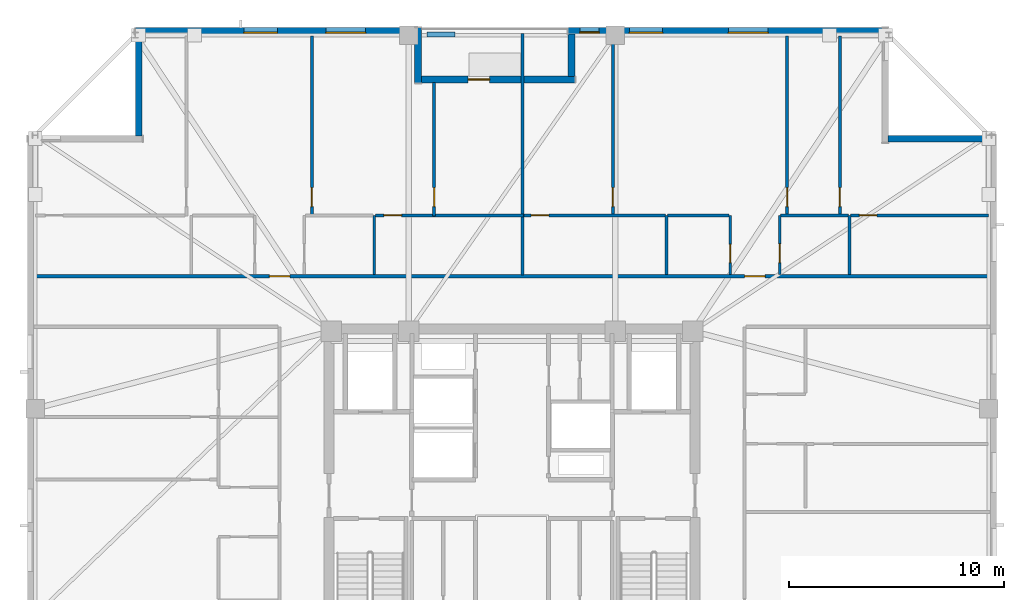
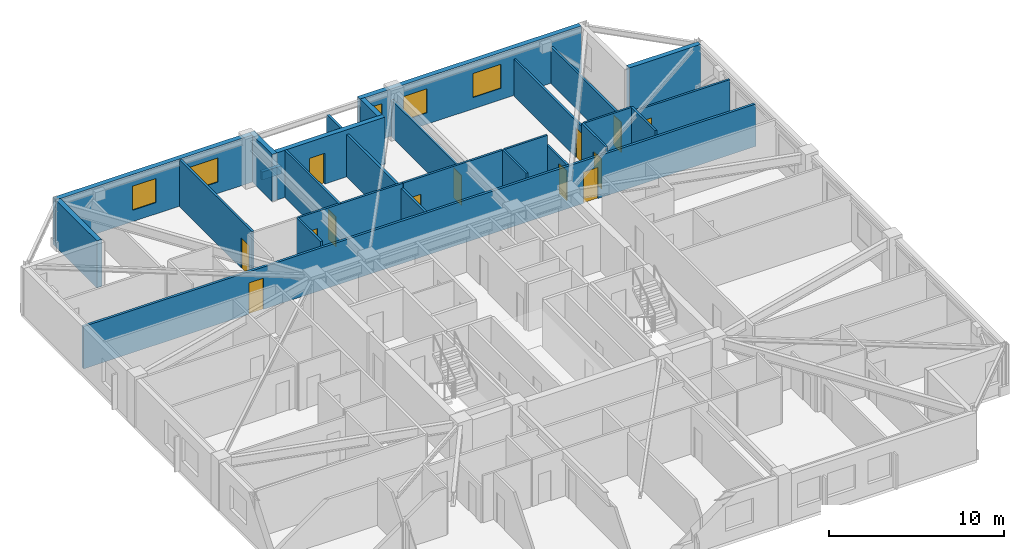
# One storey, part 11 of 17: 25 walls, 13 doors, 5 windows, 18 openings.
"""IFC4 building model written with IfcOpenShell, lengths in metres."""

from ifc_helpers import new_model, si_unit, direction, frame, frame_2d, origin, place, context, subcontext, project, spatial, rectangle, extrude, material, layer, layer_set, type_object, element, fill, save


model = new_model("IFC4")

# Units and contexts
model_context = context("Model", 3, precision=1e-05, world=origin(), true_north=direction((0.0, 1.0)))
body_context = subcontext(model_context, "Body", "Model", "MODEL_VIEW")
ifc_project = project(units=[si_unit("LENGTHUNIT", "METRE"), si_unit("AREAUNIT", "SQUARE_METRE"), si_unit("VOLUMEUNIT", "CUBIC_METRE"), si_unit("PLANEANGLEUNIT", "RADIAN"), si_unit("MASSUNIT", "GRAM", prefix="KILO")], contexts=[model_context])

# Site, building, storey
site_placement = place(None, origin())
site = spatial("IfcSite", under=ifc_project, at=site_placement, CompositionType="ELEMENT")
building_placement = place(site_placement, origin())
building = spatial("IfcBuilding", under=site, at=building_placement, Name="Cairnveth Concourse Tower", CompositionType="ELEMENT")
storey_placement = place(building_placement, frame((0.0, 0.0, 206.0)))
storey = spatial("IfcBuildingStorey", under=building, at=storey_placement, Name="L56", CompositionType="ELEMENT", Elevation=206.0)

# Wall, openings, doors
ifc_material_1 = material(Name="Gypsum Plasterboard Partition", Category="gypsum")
ifc_layer_1 = layer(ifc_material_1, 0.159912109375)
ifc_layer_set_1 = layer_set([ifc_layer_1], Name="Gypsum Plasterboard Partition")
wall_type_1 = type_object("IfcWallType", Name="ACOUSTIC PARTY WALL 180", PredefinedType="PARTITIONING", material=ifc_layer_set_1)
wall_1_placement = place(storey_placement, frame((29.804931640625, 49.949951171875, 0.0), z_axis=(0.0, 0.0, 1.0), x_axis=(1.0, 0.0, 0.0)))
wall_1 = element("IfcWall", 1, at=wall_1_placement, inside=storey, type_object=wall_type_1, Name="Interior Wall IW-L56-037", PredefinedType="PARTITIONING", context=body_context, shape_type="SweptSolid", body=[
    extrude(rectangle(XDim=44.39013671875, YDim=0.159912109375, at=frame_2d((22.195068359375, 0.0))), origin(), (0.0, 0.0, 1.0), 2.9580078125),
])
opening_1_placement = place(wall_1_placement, frame((10.918701171875, 0.0, 0.0)))
opening_1 = element("IfcOpeningElement", 2, at=opening_1_placement, cuts=wall_1, Name="Opening ID10", PredefinedType="OPENING", context=body_context, shape_type="SweptSolid", body=[
    extrude(rectangle(XDim=0.9599609375, YDim=2.179931640625, at=frame_2d((0.47998046875, 1.08984375))), frame((0.0, 0.08984375, 0.0), z_axis=(0.0, -1.0, 0.0), x_axis=(1.0, 0.0, 0.0)), (0.0, 0.0, 1.0), 0.179931640625),
])
opening_2_placement = place(wall_1_placement, frame((32.998779296875, 0.0, 0.0)))
opening_2 = element("IfcOpeningElement", 3, at=opening_2_placement, cuts=wall_1, Name="Opening ID10", PredefinedType="OPENING", context=body_context, shape_type="SweptSolid", body=[
    extrude(rectangle(XDim=0.9599609375, YDim=2.179931640625, at=frame_2d((0.47998046875, 1.08984375))), frame((0.0, 0.08984375, 0.0), z_axis=(0.0, -1.0, 0.0), x_axis=(1.0, 0.0, 0.0)), (0.0, 0.0, 1.0), 0.179931640625),
])
ifc_material_2 = material(Name="Solid Core Hardwood Timber Leaf", Category="wood")
door_type_1 = type_object("IfcDoorType", Name="FLAT ENTRANCE DOOR 960X2150", OperationType="NOTDEFINED", PredefinedType="DOOR", material=ifc_material_2)
door_1_placement = place(opening_1_placement, origin())
door_1 = element("IfcDoor", 4, at=door_1_placement, inside=storey, type_object=door_type_1, Name="Apartment L56N1 Entrance Door", OperationType="SINGLE_SWING_RIGHT", OverallHeight=2.179931640625, OverallWidth=0.9599609375, PredefinedType="DOOR", context=body_context, shape_type="SweptSolid", body=[
    extrude(rectangle(XDim=0.9599609375, YDim=2.179931640625, at=frame_2d((0.47998046875, 1.08984375))), frame((0.0, 0.02490234375, 0.0), z_axis=(0.0, -1.0, 0.0), x_axis=(1.0, 0.0, 0.0)), (0.0, 0.0, 1.0), 0.050048828125),
])
fill(opening_1, door_1)
door_2_placement = place(opening_2_placement, origin())
door_2 = element("IfcDoor", 5, at=door_2_placement, inside=storey, type_object=door_type_1, Name="Apartment L56N2 Entrance Door", OperationType="SINGLE_SWING_RIGHT", OverallHeight=2.179931640625, OverallWidth=0.9599609375, PredefinedType="DOOR", context=body_context, shape_type="SweptSolid", body=[
    extrude(rectangle(XDim=0.9599609375, YDim=2.179931640625, at=frame_2d((0.47998046875, 1.08984375))), frame((0.0, 0.02490234375, 0.0), z_axis=(0.0, -1.0, 0.0), x_axis=(1.0, 0.0, 0.0)), (0.0, 0.0, 1.0), 0.050048828125),
])
fill(opening_2, door_2)

# Wall
wall_2_placement = place(storey_placement, frame((52.487548828125, 50.014892578125, 0.0), z_axis=(0.0, 0.0, 1.0), x_axis=(0.0, 1.0, 0.0)))
element("IfcWall", 6, at=wall_2_placement, inside=storey, type_object=wall_type_1, Name="Interior Wall IW-L56-078", PredefinedType="PARTITIONING", context=body_context, shape_type="SweptSolid", body=[
    extrude(rectangle(XDim=11.215087890625, YDim=0.159912109375, at=frame_2d((5.607421875, 0.0))), origin(), (0.0, 0.0, 1.0), 2.9580078125),
])

# Wall, opening, door
ifc_layer_2 = layer(ifc_material_1, 0.139892578125)
ifc_layer_set_2 = layer_set([ifc_layer_2], Name="Gypsum Plasterboard Partition")
wall_type_2 = type_object("IfcWallType", Name="GYPSUM STUD PARTITION 140", PredefinedType="PARTITIONING", material=ifc_layer_set_2)
wall_3_placement = place(storey_placement, frame((48.387451171875, 52.739990234375, 0.0), z_axis=(0.0, 0.0, 1.0), x_axis=(0.0, 1.0, 0.0)))
wall_3 = element("IfcWall", 7, at=wall_3_placement, inside=storey, type_object=wall_type_2, Name="Interior Wall IW-L56-075", PredefinedType="PARTITIONING", context=body_context, shape_type="SweptSolid", body=[
    extrude(rectangle(XDim=6.205078125, YDim=0.139892578125, at=frame_2d((3.1025390625, 0.0))), origin(), (0.0, 0.0, 1.0), 3.2900390625),
])
opening_3_placement = place(wall_3_placement, frame((0.449951171875, 0.0, 0.0)))
opening_3 = element("IfcOpeningElement", 8, at=opening_3_placement, cuts=wall_3, Name="Opening ID18", PredefinedType="OPENING", context=body_context, shape_type="SweptSolid", body=[
    extrude(rectangle(XDim=0.8798828125, YDim=2.10009765625, at=frame_2d((0.43994140625, 1.050048828125))), frame((0.0, 0.079833984375, 0.0), z_axis=(0.0, -1.0, 0.0), x_axis=(1.0, 0.0, 0.0)), (0.0, 0.0, 1.0), 0.159912109375),
])
door_type_2 = type_object("IfcDoorType", Name="INTERIOR SINGLE DOOR 880X2100", OperationType="NOTDEFINED", PredefinedType="DOOR", material=ifc_material_2)
door_3_placement = place(opening_3_placement, origin())
door_3 = element("IfcDoor", 9, at=door_3_placement, inside=storey, type_object=door_type_2, Name="L56N1 Bedroom 2 Door", OperationType="SINGLE_SWING_RIGHT", OverallHeight=2.10009765625, OverallWidth=0.8798828125, PredefinedType="DOOR", context=body_context, shape_type="SweptSolid", body=[
    extrude(rectangle(XDim=0.8798828125, YDim=2.10009765625, at=frame_2d((0.43994140625, 1.050048828125))), frame((0.0, 0.02490234375, 0.0), z_axis=(0.0, -1.0, 0.0), x_axis=(1.0, 0.0, 0.0)), (0.0, 0.0, 1.0), 0.050048828125),
])
fill(opening_3, door_3)

wall_4_placement = place(storey_placement, frame((45.65380859375, 52.780029296875, 0.0), z_axis=(0.0, 0.0, 1.0), x_axis=(1.0, 0.0, 0.0)))
wall_4 = element("IfcWall", 10, at=wall_4_placement, inside=storey, type_object=wall_type_2, Name="Interior Wall IW-L56-076", PredefinedType="PARTITIONING", context=body_context, shape_type="SweptSolid", body=[
    extrude(rectangle(XDim=6.8837890625, YDim=0.139892578125, at=frame_2d((3.44189453125, 0.0))), origin(), (0.0, 0.0, 1.0), 3.2900390625),
])
opening_4_placement = place(wall_4_placement, frame((0.39990234375, 0.0, 0.0)))
opening_4 = element("IfcOpeningElement", 11, at=opening_4_placement, cuts=wall_4, Name="Opening ID22", PredefinedType="OPENING", context=body_context, shape_type="SweptSolid", body=[
    extrude(rectangle(XDim=0.820068359375, YDim=2.10009765625, at=frame_2d((0.41015625, 1.050048828125))), frame((0.0, 0.079833984375, 0.0), z_axis=(0.0, -1.0, 0.0), x_axis=(1.0, 0.0, 0.0)), (0.0, 0.0, 1.0), 0.159912109375),
])
door_type_3 = type_object("IfcDoorType", Name="INTERIOR WC DOOR 820X2100", OperationType="NOTDEFINED", PredefinedType="DOOR", material=ifc_material_2)
door_4_placement = place(opening_4_placement, origin())
door_4 = element("IfcDoor", 12, at=door_4_placement, inside=storey, type_object=door_type_3, Name="L56N1 Utility Door", OperationType="SINGLE_SWING_LEFT", OverallHeight=2.10009765625, OverallWidth=0.820068359375, PredefinedType="DOOR", context=body_context, shape_type="SweptSolid", body=[
    extrude(rectangle(XDim=0.820068359375, YDim=2.10009765625, at=frame_2d((0.41015625, 1.050048828125))), frame((0.0, 0.02490234375, 0.0), z_axis=(0.0, -1.0, 0.0), x_axis=(1.0, 0.0, 0.0)), (0.0, 0.0, 1.0), 0.050048828125),
])
fill(opening_4, door_4)

wall_5_placement = place(storey_placement, frame((42.70361328125, 52.830078125, 0.0), z_axis=(0.0, 0.0, 1.0), x_axis=(0.0, 1.0, 0.0)))
wall_5 = element("IfcWall", 13, at=wall_5_placement, inside=storey, type_object=wall_type_2, Name="Interior Wall IW-L56-077", PredefinedType="PARTITIONING", context=body_context, shape_type="SweptSolid", body=[
    extrude(rectangle(XDim=8.2900390625, YDim=0.139892578125, at=frame_2d((4.14501953125, 0.0))), origin(), (0.0, 0.0, 1.0), 3.2900390625),
])
opening_5_placement = place(wall_5_placement, frame((0.360107421875, 0.0, 0.0)))
opening_5 = element("IfcOpeningElement", 14, at=opening_5_placement, cuts=wall_5, Name="Opening ID18", PredefinedType="OPENING", context=body_context, shape_type="SweptSolid", body=[
    extrude(rectangle(XDim=0.8798828125, YDim=2.10009765625, at=frame_2d((0.43994140625, 1.050048828125))), frame((0.0, 0.079833984375, 0.0), z_axis=(0.0, -1.0, 0.0), x_axis=(1.0, 0.0, 0.0)), (0.0, 0.0, 1.0), 0.159912109375),
])
door_5_placement = place(opening_5_placement, origin())
door_5 = element("IfcDoor", 15, at=door_5_placement, inside=storey, type_object=door_type_2, Name="L56N1 Media Lounge Door", OperationType="SINGLE_SWING_LEFT", OverallHeight=2.10009765625, OverallWidth=0.8798828125, PredefinedType="DOOR", context=body_context, shape_type="SweptSolid", body=[
    extrude(rectangle(XDim=0.8798828125, YDim=2.10009765625, at=frame_2d((0.43994140625, 1.050048828125))), frame((0.0, 0.02490234375, 0.0), z_axis=(0.0, -1.0, 0.0), x_axis=(1.0, 0.0, 0.0)), (0.0, 0.0, 1.0), 0.050048828125),
])
fill(opening_5, door_5)

wall_6_placement = place(storey_placement, frame((56.6875, 52.739990234375, 0.0), z_axis=(0.0, 0.0, 1.0), x_axis=(0.0, 1.0, 0.0)))
wall_6 = element("IfcWall", 16, at=wall_6_placement, inside=storey, type_object=wall_type_2, Name="Interior Wall IW-L56-085", PredefinedType="PARTITIONING", context=body_context, shape_type="SweptSolid", body=[
    extrude(rectangle(XDim=8.380126953125, YDim=0.139892578125, at=frame_2d((4.18994140625, 0.0))), origin(), (0.0, 0.0, 1.0), 2.572998046875),
])
opening_6_placement = place(wall_6_placement, frame((0.449951171875, 0.0, 0.0)))
opening_6 = element("IfcOpeningElement", 17, at=opening_6_placement, cuts=wall_6, Name="Opening ID18", PredefinedType="OPENING", context=body_context, shape_type="SweptSolid", body=[
    extrude(rectangle(XDim=0.8798828125, YDim=2.10009765625, at=frame_2d((0.43994140625, 1.050048828125))), frame((0.0, 0.079833984375, 0.0), z_axis=(0.0, -1.0, 0.0), x_axis=(1.0, 0.0, 0.0)), (0.0, 0.0, 1.0), 0.159912109375),
])
door_6_placement = place(opening_6_placement, origin())
door_6 = element("IfcDoor", 18, at=door_6_placement, inside=storey, type_object=door_type_2, Name="L56N2 Master Bedroom Door", OperationType="SINGLE_SWING_RIGHT", OverallHeight=2.10009765625, OverallWidth=0.8798828125, PredefinedType="DOOR", context=body_context, shape_type="SweptSolid", body=[
    extrude(rectangle(XDim=0.8798828125, YDim=2.10009765625, at=frame_2d((0.43994140625, 1.050048828125))), frame((0.0, 0.02490234375, 0.0), z_axis=(0.0, -1.0, 0.0), x_axis=(1.0, 0.0, 0.0)), (0.0, 0.0, 1.0), 0.050048828125),
])
fill(opening_6, door_6)

wall_7_placement = place(storey_placement, frame((52.552490234375, 52.780029296875, 0.0), z_axis=(0.0, 0.0, 1.0), x_axis=(1.0, 0.0, 0.0)))
wall_7 = element("IfcWall", 19, at=wall_7_placement, inside=storey, type_object=wall_type_2, Name="Interior Wall IW-L56-086", PredefinedType="PARTITIONING", context=body_context, shape_type="SweptSolid", body=[
    extrude(rectangle(XDim=6.581298828125, YDim=0.139892578125, at=frame_2d((3.29052734375, 0.0))), origin(), (0.0, 0.0, 1.0), 3.2900390625),
])
opening_7_placement = place(wall_7_placement, frame((0.3349609375, 0.0, 0.0)))
opening_7 = element("IfcOpeningElement", 20, at=opening_7_placement, cuts=wall_7, Name="Opening ID22", PredefinedType="OPENING", context=body_context, shape_type="SweptSolid", body=[
    extrude(rectangle(XDim=0.820068359375, YDim=2.10009765625, at=frame_2d((0.41015625, 1.050048828125))), frame((0.0, 0.079833984375, 0.0), z_axis=(0.0, -1.0, 0.0), x_axis=(1.0, 0.0, 0.0)), (0.0, 0.0, 1.0), 0.159912109375),
])
door_7_placement = place(opening_7_placement, origin())
door_7 = element("IfcDoor", 21, at=door_7_placement, inside=storey, type_object=door_type_3, Name="L56N2 Dressing Door", OperationType="SINGLE_SWING_LEFT", OverallHeight=2.10009765625, OverallWidth=0.820068359375, PredefinedType="DOOR", context=body_context, shape_type="SweptSolid", body=[
    extrude(rectangle(XDim=0.820068359375, YDim=2.10009765625, at=frame_2d((0.41015625, 1.050048828125))), frame((0.0, 0.02490234375, 0.0), z_axis=(0.0, -1.0, 0.0), x_axis=(1.0, 0.0, 0.0)), (0.0, 0.0, 1.0), 0.050048828125),
])
fill(opening_7, door_7)

wall_8_placement = place(storey_placement, frame((67.22998046875, 52.830078125, 0.0), z_axis=(0.0, 0.0, 1.0), x_axis=(0.0, 1.0, 0.0)))
wall_8 = element("IfcWall", 22, at=wall_8_placement, inside=storey, type_object=wall_type_2, Name="Interior Wall IW-L56-087", PredefinedType="PARTITIONING", context=body_context, shape_type="SweptSolid", body=[
    extrude(rectangle(XDim=8.2900390625, YDim=0.139892578125, at=frame_2d((4.14501953125, 0.0))), origin(), (0.0, 0.0, 1.0), 2.572998046875),
])
opening_8_placement = place(wall_8_placement, frame((0.360107421875, 0.0, 0.0)))
opening_8 = element("IfcOpeningElement", 23, at=opening_8_placement, cuts=wall_8, Name="Opening ID18", PredefinedType="OPENING", context=body_context, shape_type="SweptSolid", body=[
    extrude(rectangle(XDim=0.8798828125, YDim=2.10009765625, at=frame_2d((0.43994140625, 1.050048828125))), frame((0.0, 0.079833984375, 0.0), z_axis=(0.0, -1.0, 0.0), x_axis=(1.0, 0.0, 0.0)), (0.0, 0.0, 1.0), 0.159912109375),
])
door_8_placement = place(opening_8_placement, origin())
door_8 = element("IfcDoor", 24, at=door_8_placement, inside=storey, type_object=door_type_2, Name="L56N2 Bedroom 2 Door", OperationType="SINGLE_SWING_RIGHT", OverallHeight=2.10009765625, OverallWidth=0.8798828125, PredefinedType="DOOR", context=body_context, shape_type="SweptSolid", body=[
    extrude(rectangle(XDim=0.8798828125, YDim=2.10009765625, at=frame_2d((0.43994140625, 1.050048828125))), frame((0.0, 0.02490234375, 0.0), z_axis=(0.0, -1.0, 0.0), x_axis=(1.0, 0.0, 0.0)), (0.0, 0.0, 1.0), 0.050048828125),
])
fill(opening_8, door_8)

wall_9_placement = place(storey_placement, frame((67.73388671875, 52.780029296875, 0.0), z_axis=(0.0, 0.0, 1.0), x_axis=(1.0, 0.0, 0.0)))
wall_9 = element("IfcWall", 25, at=wall_9_placement, inside=storey, type_object=wall_type_2, Name="Interior Wall IW-L56-088", PredefinedType="PARTITIONING", context=body_context, shape_type="SweptSolid", body=[
    extrude(rectangle(XDim=6.39599609375, YDim=0.139892578125, at=frame_2d((3.197998046875, 0.0))), origin(), (0.0, 0.0, 1.0), 2.9580078125),
])
opening_9_placement = place(wall_9_placement, frame((0.39990234375, 0.0, 0.0)))
opening_9 = element("IfcOpeningElement", 26, at=opening_9_placement, cuts=wall_9, Name="Opening ID22", PredefinedType="OPENING", context=body_context, shape_type="SweptSolid", body=[
    extrude(rectangle(XDim=0.820068359375, YDim=2.10009765625, at=frame_2d((0.41015625, 1.050048828125))), frame((0.0, 0.079833984375, 0.0), z_axis=(0.0, -1.0, 0.0), x_axis=(1.0, 0.0, 0.0)), (0.0, 0.0, 1.0), 0.159912109375),
])
door_9_placement = place(opening_9_placement, origin())
door_9 = element("IfcDoor", 27, at=door_9_placement, inside=storey, type_object=door_type_3, Name="L56N2 Utility Door", OperationType="SINGLE_SWING_LEFT", OverallHeight=2.10009765625, OverallWidth=0.820068359375, PredefinedType="DOOR", context=body_context, shape_type="SweptSolid", body=[
    extrude(rectangle(XDim=0.820068359375, YDim=2.10009765625, at=frame_2d((0.41015625, 1.050048828125))), frame((0.0, 0.02490234375, 0.0), z_axis=(0.0, -1.0, 0.0), x_axis=(1.0, 0.0, 0.0)), (0.0, 0.0, 1.0), 0.050048828125),
])
fill(opening_9, door_9)

wall_10_placement = place(storey_placement, frame((64.78369140625, 52.830078125, 0.0), z_axis=(0.0, 0.0, 1.0), x_axis=(0.0, 1.0, 0.0)))
wall_10 = element("IfcWall", 28, at=wall_10_placement, inside=storey, type_object=wall_type_2, Name="Interior Wall IW-L56-089", PredefinedType="PARTITIONING", context=body_context, shape_type="SweptSolid", body=[
    extrude(rectangle(XDim=8.2900390625, YDim=0.139892578125, at=frame_2d((4.14501953125, 0.0))), origin(), (0.0, 0.0, 1.0), 2.572998046875),
])
opening_10_placement = place(wall_10_placement, frame((0.360107421875, 0.0, 0.0)))
opening_10 = element("IfcOpeningElement", 29, at=opening_10_placement, cuts=wall_10, Name="Opening ID18", PredefinedType="OPENING", context=body_context, shape_type="SweptSolid", body=[
    extrude(rectangle(XDim=0.8798828125, YDim=2.10009765625, at=frame_2d((0.43994140625, 1.050048828125))), frame((0.0, 0.079833984375, 0.0), z_axis=(0.0, -1.0, 0.0), x_axis=(1.0, 0.0, 0.0)), (0.0, 0.0, 1.0), 0.159912109375),
])
door_10_placement = place(opening_10_placement, origin())
door_10 = element("IfcDoor", 30, at=door_10_placement, inside=storey, type_object=door_type_2, Name="L56N2 Media Lounge Door", OperationType="SINGLE_SWING_LEFT", OverallHeight=2.10009765625, OverallWidth=0.8798828125, PredefinedType="DOOR", context=body_context, shape_type="SweptSolid", body=[
    extrude(rectangle(XDim=0.8798828125, YDim=2.10009765625, at=frame_2d((0.43994140625, 1.050048828125))), frame((0.0, 0.02490234375, 0.0), z_axis=(0.0, -1.0, 0.0), x_axis=(1.0, 0.0, 0.0)), (0.0, 0.0, 1.0), 0.050048828125),
])
fill(opening_10, door_10)

# Walls
ifc_material_3 = material(Name="Dressed Melbourne Bluestone Cladding", Category="masonry")
ifc_layer_3 = layer(ifc_material_3, 0.219970703125)
ifc_layer_set_3 = layer_set([ifc_layer_3], Name="Dressed Melbourne Bluestone Cladding")
wall_type_3 = type_object("IfcWallType", Name="TERRACE PLANTER CURB WALL 220", PredefinedType="PARAPET", material=ifc_layer_set_3)
wall_11_placement = place(storey_placement, frame((48.050048828125, 61.179931640625, 0.0), z_axis=(0.0, 0.0, 1.0), x_axis=(1.0, 0.0, 0.0)))
element("IfcWall", 31, at=wall_11_placement, inside=storey, type_object=wall_type_3, Name="Exterior Wall PLNT-L56-TERR", PredefinedType="PARAPET", context=body_context, shape_type="SweptSolid", body=[
    extrude(rectangle(XDim=1.300048828125, YDim=0.219970703125, at=frame_2d((0.64990234375, 0.0))), origin(), (0.0, 0.0, 1.0), 0.550048828125),
])
ifc_layer_4 = layer(ifc_material_1, 0.1298828125)
ifc_layer_set_4 = layer_set([ifc_layer_4], Name="Gypsum Plasterboard Partition")
wall_type_4 = type_object("IfcWallType", Name="WET AREA PARTITION 140", PredefinedType="PLUMBINGWALL", material=ifc_layer_set_4)
for number, where, z_axis, x_axis, name in (
    (32, (45.603759765625, 50.030029296875, 0.0), (0.0, 0.0, 1.0), (0.0, 1.0, 0.0), "Interior Wall IW-L56-070"),
    (33, (59.18359375, 50.030029296875, 0.0), (0.0, 0.0, 1.0), (0.0, 1.0, 0.0), "Interior Wall IW-L56-079"),
):
    element("IfcWall", number, at=place(storey_placement, frame(where, z_axis=z_axis, x_axis=x_axis)), inside=storey, type_object=wall_type_4, Name=name, PredefinedType="PLUMBINGWALL", context=body_context, shape_type="SweptSolid", body=[
        extrude(rectangle(XDim=2.75, YDim=0.1298828125, at=frame_2d((1.375, 0.0))), origin(), (0.0, 0.0, 1.0), 3.2900390625),
    ])

# Wall, opening, door
wall_12_placement = place(storey_placement, frame((62.1337890625, 50.030029296875, 0.0), z_axis=(0.0, 0.0, 1.0), x_axis=(0.0, 1.0, 0.0)))
wall_12 = element("IfcWall", 34, at=wall_12_placement, inside=storey, type_object=wall_type_4, Name="Interior Wall IW-L56-080", PredefinedType="PLUMBINGWALL", context=body_context, shape_type="SweptSolid", body=[
    extrude(rectangle(XDim=2.75, YDim=0.1298828125, at=frame_2d((1.375, 0.0))), origin(), (0.0, 0.0, 1.0), 2.572998046875),
])
opening_11_placement = place(wall_12_placement, frame((0.550048828125, 0.0, 0.0)))
opening_11 = element("IfcOpeningElement", 35, at=opening_11_placement, cuts=wall_12, Name="Opening ID21", PredefinedType="OPENING", context=body_context, shape_type="SweptSolid", body=[
    extrude(rectangle(XDim=0.85009765625, YDim=2.080078125, at=frame_2d((0.425048828125, 1.0400390625))), frame((0.0, 0.074951171875, 0.0), z_axis=(0.0, -1.0, 0.0), x_axis=(1.0, 0.0, 0.0)), (0.0, 0.0, 1.0), 0.14990234375),
])
door_type_4 = type_object("IfcDoorType", Name="INTERIOR WC DOOR 850X2100", OperationType="NOTDEFINED", PredefinedType="DOOR", material=ifc_material_2)
door_11_placement = place(opening_11_placement, origin())
door_11 = element("IfcDoor", 36, at=door_11_placement, inside=storey, type_object=door_type_4, Name="L56N2 Bathroom Door", OperationType="SINGLE_SWING_LEFT", OverallHeight=2.080078125, OverallWidth=0.85009765625, PredefinedType="DOOR", context=body_context, shape_type="SweptSolid", body=[
    extrude(rectangle(XDim=0.85009765625, YDim=2.080078125, at=frame_2d((0.425048828125, 1.0400390625))), frame((0.0, 0.02490234375, 0.0), z_axis=(0.0, -1.0, 0.0), x_axis=(1.0, 0.0, 0.0)), (0.0, 0.0, 1.0), 0.050048828125),
])
fill(opening_11, door_11)

# Walls
wall_13_placement = place(storey_placement, frame((59.233642578125, 52.780029296875, 0.0), z_axis=(0.0, 0.0, 1.0), x_axis=(1.0, 0.0, 0.0)))
element("IfcWall", 37, at=wall_13_placement, inside=storey, type_object=wall_type_4, Name="Interior Wall IW-L56-081", PredefinedType="PLUMBINGWALL", context=body_context, shape_type="SweptSolid", body=[
    extrude(rectangle(XDim=2.85009765625, YDim=0.1298828125, at=frame_2d((1.425048828125, 0.0))), origin(), (0.0, 0.0, 1.0), 3.2900390625),
])
wall_14_placement = place(storey_placement, frame((67.683837890625, 50.030029296875, 0.0), z_axis=(0.0, 0.0, 1.0), x_axis=(0.0, 1.0, 0.0)))
element("IfcWall", 38, at=wall_14_placement, inside=storey, type_object=wall_type_4, Name="Interior Wall IW-L56-082", PredefinedType="PLUMBINGWALL", context=body_context, shape_type="SweptSolid", body=[
    extrude(rectangle(XDim=2.75, YDim=0.1298828125, at=frame_2d((1.375, 0.0))), origin(), (0.0, 0.0, 1.0), 3.2900390625),
])

# Wall, opening, door
wall_15_placement = place(storey_placement, frame((64.433837890625, 50.030029296875, 0.0), z_axis=(0.0, 0.0, 1.0), x_axis=(0.0, 1.0, 0.0)))
wall_15 = element("IfcWall", 39, at=wall_15_placement, inside=storey, type_object=wall_type_4, Name="Interior Wall IW-L56-083", PredefinedType="PLUMBINGWALL", context=body_context, shape_type="SweptSolid", body=[
    extrude(rectangle(XDim=2.75, YDim=0.1298828125, at=frame_2d((1.375, 0.0))), origin(), (0.0, 0.0, 1.0), 3.2900390625),
])
opening_12_placement = place(wall_15_placement, frame((0.550048828125, 0.0, 0.0)))
opening_12 = element("IfcOpeningElement", 40, at=opening_12_placement, cuts=wall_15, Name="Opening ID18", PredefinedType="OPENING", context=body_context, shape_type="SweptSolid", body=[
    extrude(rectangle(XDim=0.8798828125, YDim=2.10009765625, at=frame_2d((0.43994140625, 1.050048828125))), frame((0.0, 0.074951171875, 0.0), z_axis=(0.0, -1.0, 0.0), x_axis=(1.0, 0.0, 0.0)), (0.0, 0.0, 1.0), 0.14990234375),
])
door_12_placement = place(opening_12_placement, origin())
door_12 = element("IfcDoor", 41, at=door_12_placement, inside=storey, type_object=door_type_2, Name="L56N2 Kitchen Door", OperationType="SINGLE_SWING_RIGHT", OverallHeight=2.10009765625, OverallWidth=0.8798828125, PredefinedType="DOOR", context=body_context, shape_type="SweptSolid", body=[
    extrude(rectangle(XDim=0.8798828125, YDim=2.10009765625, at=frame_2d((0.43994140625, 1.050048828125))), frame((0.0, 0.02490234375, 0.0), z_axis=(0.0, -1.0, 0.0), x_axis=(1.0, 0.0, 0.0)), (0.0, 0.0, 1.0), 0.050048828125),
])
fill(opening_12, door_12)

# Wall
wall_16_placement = place(storey_placement, frame((64.48388671875, 52.780029296875, 0.0), z_axis=(0.0, 0.0, 1.0), x_axis=(1.0, 0.0, 0.0)))
element("IfcWall", 42, at=wall_16_placement, inside=storey, type_object=wall_type_4, Name="Interior Wall IW-L56-084", PredefinedType="PLUMBINGWALL", context=body_context, shape_type="SweptSolid", body=[
    extrude(rectangle(XDim=3.14990234375, YDim=0.1298828125, at=frame_2d((1.574951171875, 0.0))), origin(), (0.0, 0.0, 1.0), 3.2900390625),
])

# Wall, openings, windows
ifc_material_4 = material(Name="Melbourne Buff Fired Clay Brick Masonry", Category="masonry")
ifc_layer_5 = layer(ifc_material_4, 0.320068359375)
ifc_layer_set_5 = layer_set([ifc_layer_5], Name="Melbourne Buff Fired Clay Brick Masonry")
wall_type_5 = type_object("IfcWallType", Name="ZONE 3 BRICK PIER SPANDREL WALL 320", PredefinedType="SOLIDWALL", material=ifc_layer_set_5)
wall_17_placement = place(storey_placement, frame((54.60009765625, 61.340087890625, 0.0), z_axis=(0.0, 0.0, 1.0), x_axis=(1.0, 0.0, 0.0)))
wall_17 = element("IfcWall", 43, at=wall_17_placement, inside=storey, type_object=wall_type_5, Name="Exterior Wall EW-L56-S00", PredefinedType="SOLIDWALL", context=body_context, shape_type="SweptSolid", body=[
    extrude(rectangle(XDim=14.601806640625, YDim=0.320068359375, at=frame_2d((7.30078125, 0.0))), origin(), (0.0, 0.0, 1.0), 3.2900390625),
])
opening_13_placement = place(wall_17_placement, frame((2.8505859375, 0.0, 0.800048828125)))
opening_13 = element("IfcOpeningElement", 44, at=opening_13_placement, cuts=wall_17, Name="Opening W07", PredefinedType="OPENING", context=body_context, shape_type="SweptSolid", body=[
    extrude(rectangle(XDim=1.550048828125, YDim=1.677978515625, at=frame_2d((0.77490234375, 0.8388671875))), frame((0.0, 0.169921875, 0.0), z_axis=(0.0, -1.0, 0.0), x_axis=(1.0, 0.0, 0.0)), (0.0, 0.0, 1.0), 0.340087890625),
])
opening_14_placement = place(wall_17_placement, frame((7.451416015625, 0.0, 0.800048828125)))
opening_14 = element("IfcOpeningElement", 45, at=opening_14_placement, cuts=wall_17, Name="Opening W08", PredefinedType="OPENING", context=body_context, shape_type="SweptSolid", body=[
    extrude(rectangle(XDim=1.85009765625, YDim=1.677978515625, at=frame_2d((0.925048828125, 0.8388671875))), frame((0.0, 0.169921875, 0.0), z_axis=(0.0, -1.0, 0.0), x_axis=(1.0, 0.0, 0.0)), (0.0, 0.0, 1.0), 0.340087890625),
])
opening_15_placement = place(wall_17_placement, frame((0.550048828125, 0.0, 0.800048828125)))
opening_15 = element("IfcOpeningElement", 46, at=opening_15_placement, cuts=wall_17, Name="Opening W13", PredefinedType="OPENING", context=body_context, shape_type="SweptSolid", body=[
    extrude(rectangle(XDim=0.89990234375, YDim=1.677978515625, at=frame_2d((0.449951171875, 0.8388671875))), frame((0.0, 0.169921875, 0.0), z_axis=(0.0, -1.0, 0.0), x_axis=(1.0, 0.0, 0.0)), (0.0, 0.0, 1.0), 0.340087890625),
])
ifc_material_5 = material(Name="Double Glazed Low-E Clear Glass", Category="glass")
window_type_1 = type_object("IfcWindowType", Name="DEEP-SET APARTMENT LIVING WINDOW 1850X1850", PartitioningType="DOUBLE_PANEL_VERTICAL", PredefinedType="WINDOW", material=ifc_material_5)
window_1_placement = place(opening_14_placement, origin())
window_1 = element("IfcWindow", 47, at=window_1_placement, inside=storey, type_object=window_type_1, Name="Gothic Lancet Window L56-0-2", OverallHeight=1.677978515625, OverallWidth=1.85009765625, PartitioningType="SINGLE_PANEL", PredefinedType="WINDOW", context=body_context, shape_type="SweptSolid", body=[
    extrude(rectangle(XDim=1.85009765625, YDim=1.677978515625, at=frame_2d((0.925048828125, 0.8388671875))), frame((0.0, -0.050048828125, 0.0), z_axis=(0.0, -1.0, 0.0), x_axis=(1.0, 0.0, 0.0)), (0.0, 0.0, 1.0), 0.06005859375),
])
fill(opening_14, window_1)
window_type_2 = type_object("IfcWindowType", Name="DEEP-SET APARTMENT WINDOW 1550X1800", PartitioningType="DOUBLE_PANEL_VERTICAL", PredefinedType="WINDOW", material=ifc_material_5)
window_2_placement = place(opening_13_placement, origin())
window_2 = element("IfcWindow", 48, at=window_2_placement, inside=storey, type_object=window_type_2, Name="Gothic Lancet Window L56-0-1", OverallHeight=1.677978515625, OverallWidth=1.550048828125, PartitioningType="SINGLE_PANEL", PredefinedType="WINDOW", context=body_context, shape_type="SweptSolid", body=[
    extrude(rectangle(XDim=1.550048828125, YDim=1.677978515625, at=frame_2d((0.77490234375, 0.8388671875))), frame((0.0, -0.050048828125, 0.0), z_axis=(0.0, -1.0, 0.0), x_axis=(1.0, 0.0, 0.0)), (0.0, 0.0, 1.0), 0.06005859375),
])
fill(opening_13, window_2)
window_type_3 = type_object("IfcWindowType", Name="DEEP-SET BEDROOM LANCET WINDOW 900X1750", PartitioningType="DOUBLE_PANEL_VERTICAL", PredefinedType="WINDOW", material=ifc_material_5)
window_3_placement = place(opening_15_placement, origin())
window_3 = element("IfcWindow", 49, at=window_3_placement, inside=storey, type_object=window_type_3, Name="Dwelling Lancet Window L56-DW4", OverallHeight=1.677978515625, OverallWidth=0.89990234375, PartitioningType="SINGLE_PANEL", PredefinedType="WINDOW", context=body_context, shape_type="SweptSolid", body=[
    extrude(rectangle(XDim=0.89990234375, YDim=1.677978515625, at=frame_2d((0.449951171875, 0.8388671875))), frame((0.0, -0.0400390625, 0.0), z_axis=(0.0, -1.0, 0.0), x_axis=(1.0, 0.0, 0.0)), (0.0, 0.0, 1.0), 0.06005859375),
])
fill(opening_15, window_3)

# Walls
for number, where, z_axis, x_axis, name in (
    (50, (69.47802734375, 56.340087890625, 0.0), (0.0, 0.0, 1.0), (1.0, 0.0, 0.0), "Exterior Wall EW-L56-S02"),
    (51, (34.659912109375, 56.47802734375, 0.0), (0.0, 0.0, 1.0), (0.0, 1.0, 0.0), "Exterior Wall EW-L56-S11"),
):
    element("IfcWall", number, at=place(storey_placement, frame(where, z_axis=z_axis, x_axis=x_axis)), inside=storey, type_object=wall_type_5, Name=name, PredefinedType="SOLIDWALL", context=body_context, shape_type="SweptSolid", body=[
        extrude(rectangle(XDim=4.723876953125, YDim=0.320068359375, at=frame_2d((2.36181640625, 0.0))), origin(), (0.0, 0.0, 1.0), 3.2900390625),
    ])

# Wall, openings, windows
wall_18_placement = place(storey_placement, frame((34.5, 61.340087890625, 0.0), z_axis=(0.0, 0.0, 1.0), x_axis=(1.0, 0.0, 0.0)))
wall_18 = element("IfcWall", 52, at=wall_18_placement, inside=storey, type_object=wall_type_5, Name="Exterior Wall EW-L56-S12", PredefinedType="SOLIDWALL", context=body_context, shape_type="SweptSolid", body=[
    extrude(rectangle(XDim=13.001953125, YDim=0.320068359375, at=frame_2d((6.5009765625, 0.0))), origin(), (0.0, 0.0, 1.0), 3.2900390625),
])
opening_16_placement = place(wall_18_placement, frame((5.050537109375, 0.0, 0.800048828125)))
opening_16 = element("IfcOpeningElement", 53, at=opening_16_placement, cuts=wall_18, Name="Opening W07", PredefinedType="OPENING", context=body_context, shape_type="SweptSolid", body=[
    extrude(rectangle(XDim=1.550048828125, YDim=1.677978515625, at=frame_2d((0.77490234375, 0.8388671875))), frame((0.0, 0.169921875, 0.0), z_axis=(0.0, -1.0, 0.0), x_axis=(1.0, 0.0, 0.0)), (0.0, 0.0, 1.0), 0.340087890625),
])
opening_17_placement = place(wall_18_placement, frame((8.8515625, 0.0, 0.800048828125)))
opening_17 = element("IfcOpeningElement", 54, at=opening_17_placement, cuts=wall_18, Name="Opening W08", PredefinedType="OPENING", context=body_context, shape_type="SweptSolid", body=[
    extrude(rectangle(XDim=1.85009765625, YDim=1.677978515625, at=frame_2d((0.925048828125, 0.8388671875))), frame((0.0, 0.169921875, 0.0), z_axis=(0.0, -1.0, 0.0), x_axis=(1.0, 0.0, 0.0)), (0.0, 0.0, 1.0), 0.340087890625),
])
window_4_placement = place(opening_17_placement, origin())
window_4 = element("IfcWindow", 55, at=window_4_placement, inside=storey, type_object=window_type_1, Name="Gothic Lancet Window L56-12-2", OverallHeight=1.677978515625, OverallWidth=1.85009765625, PartitioningType="SINGLE_PANEL", PredefinedType="WINDOW", context=body_context, shape_type="SweptSolid", body=[
    extrude(rectangle(XDim=1.85009765625, YDim=1.677978515625, at=frame_2d((0.925048828125, 0.8388671875))), frame((0.0, -0.050048828125, 0.0), z_axis=(0.0, -1.0, 0.0), x_axis=(1.0, 0.0, 0.0)), (0.0, 0.0, 1.0), 0.06005859375),
])
fill(opening_17, window_4)
window_5_placement = place(opening_16_placement, origin())
window_5 = element("IfcWindow", 56, at=window_5_placement, inside=storey, type_object=window_type_2, Name="Gothic Lancet Window L56-12-1", OverallHeight=1.677978515625, OverallWidth=1.550048828125, PartitioningType="SINGLE_PANEL", PredefinedType="WINDOW", context=body_context, shape_type="SweptSolid", body=[
    extrude(rectangle(XDim=1.550048828125, YDim=1.677978515625, at=frame_2d((0.77490234375, 0.8388671875))), frame((0.0, -0.050048828125, 0.0), z_axis=(0.0, -1.0, 0.0), x_axis=(1.0, 0.0, 0.0)), (0.0, 0.0, 1.0), 0.06005859375),
])
fill(opening_16, window_5)

# Wall
wall_19_placement = place(storey_placement, frame((47.639892578125, 61.5, 0.0), z_axis=(0.0, 0.0, 1.0), x_axis=(0.0, -1.0, 0.0)))
element("IfcWall", 57, at=wall_19_placement, inside=storey, type_object=wall_type_5, Name="Exterior Wall EW-L56-S13", PredefinedType="SOLIDWALL", context=body_context, shape_type="SweptSolid", body=[
    extrude(rectangle(XDim=2.570068359375, YDim=0.320068359375, at=frame_2d((1.28515625, 0.0))), origin(), (0.0, 0.0, 1.0), 3.2900390625),
])

# Wall, opening, door
wall_20_placement = place(storey_placement, frame((47.778076171875, 59.090087890625, 0.0), z_axis=(0.0, 0.0, 1.0), x_axis=(1.0, 0.0, 0.0)))
wall_20 = element("IfcWall", 58, at=wall_20_placement, inside=storey, type_object=wall_type_5, Name="Exterior Wall EW-L56-S14", PredefinedType="SOLIDWALL", context=body_context, shape_type="SweptSolid", body=[
    extrude(rectangle(XDim=7.141845703125, YDim=0.320068359375, at=frame_2d((3.57080078125, 0.0))), origin(), (0.0, 0.0, 1.0), 3.2900390625),
])
opening_18_placement = place(wall_20_placement, frame((2.1796875, 0.0, 0.0)))
opening_18 = element("IfcOpeningElement", 59, at=opening_18_placement, cuts=wall_20, Name="Opening ED4", PredefinedType="OPENING", context=body_context, shape_type="SweptSolid", body=[
    extrude(rectangle(XDim=1.0, YDim=2.14990234375, at=frame_2d((0.5, 1.074951171875))), frame((0.0, 0.169921875, 0.0), z_axis=(0.0, -1.0, 0.0), x_axis=(1.0, 0.0, 0.0)), (0.0, 0.0, 1.0), 0.340087890625),
])
ifc_material_6 = material(Name="Architectural Bronze Anodised Aluminium 6063-T6", Category="aluminium")
door_type_5 = type_object("IfcDoorType", Name="TERRACE GLAZED DOOR 1000X2150", OperationType="NOTDEFINED", PredefinedType="DOOR", material=ifc_material_6)
door_13_placement = place(opening_18_placement, origin())
door_13 = element("IfcDoor", 60, at=door_13_placement, inside=storey, type_object=door_type_5, Name="Spiral Terrace Door L56", OperationType="SINGLE_SWING_LEFT", OverallHeight=2.14990234375, OverallWidth=1.0, PredefinedType="DOOR", context=body_context, shape_type="SweptSolid", body=[
    extrude(rectangle(XDim=1.0, YDim=2.14990234375, at=frame_2d((0.5, 1.074951171875))), frame((0.0, 0.02490234375, 0.0), z_axis=(0.0, -1.0, 0.0), x_axis=(1.0, 0.0, 0.0)), (0.0, 0.0, 1.0), 0.050048828125),
])
fill(opening_18, door_13)

# Wall
wall_21_placement = place(storey_placement, frame((54.760009765625, 59.22802734375, 0.0), z_axis=(0.0, 0.0, 1.0), x_axis=(0.0, 1.0, 0.0)))
element("IfcWall", 61, at=wall_21_placement, inside=storey, type_object=wall_type_5, Name="Exterior Wall EW-L56-S15", PredefinedType="SOLIDWALL", context=body_context, shape_type="SweptSolid", body=[
    extrude(rectangle(XDim=1.973876953125, YDim=0.320068359375, at=frame_2d((0.98681640625, 0.0))), origin(), (0.0, 0.0, 1.0), 3.2900390625),
])

save(model, "model.ifc")
